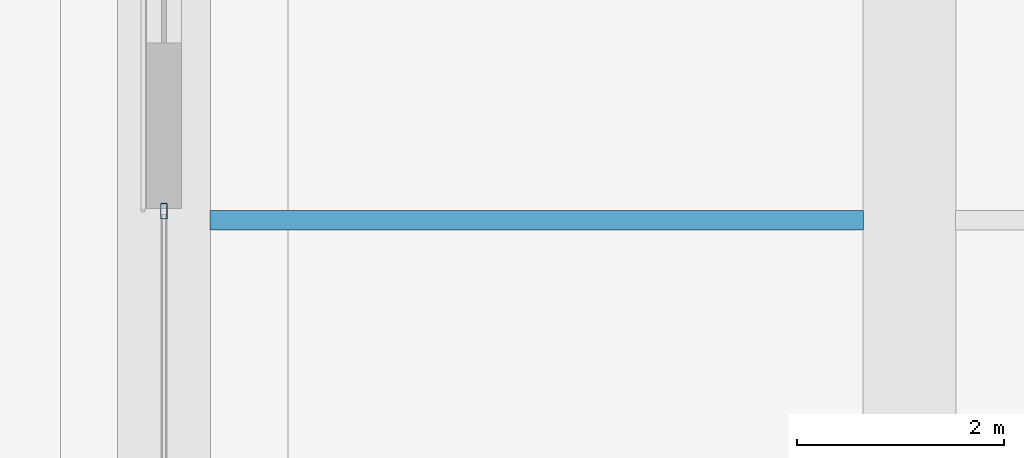
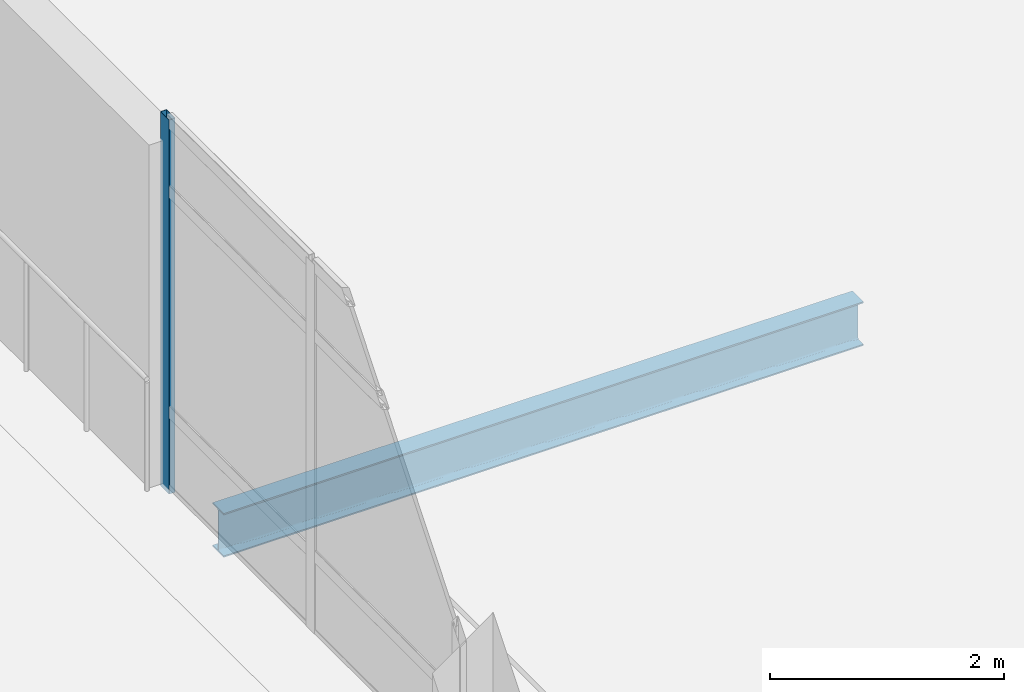
# One storey, part 24 of 158: 1 beam, 1 member, 1 element without a shape of its own.
"""IFC4 building model written with IfcOpenShell, lengths in metres."""

from ifc_helpers import new_model, si_unit, direction, frame, origin, origin_2d, place, context, subcontext, project, spatial, hollow_rectangle, i_section, extrude, material, material_profile, profile_set, type_object, element, aggregate, save


model = new_model("IFC4")

# Units and contexts
model_context = context("Model", 3, precision=1e-05, world=origin(), true_north=direction((0.0, 1.0)))
body_context = subcontext(model_context, "Body", "Model", "MODEL_VIEW")
ifc_project = project(units=[si_unit("LENGTHUNIT", "METRE"), si_unit("AREAUNIT", "SQUARE_METRE"), si_unit("VOLUMEUNIT", "CUBIC_METRE"), si_unit("PLANEANGLEUNIT", "RADIAN"), si_unit("MASSUNIT", "GRAM", prefix="KILO")], contexts=[model_context])

# Site, building, storey
site_placement = place(None, origin())
site = spatial("IfcSite", under=ifc_project, at=site_placement, CompositionType="ELEMENT")
building_placement = place(site_placement, origin())
building = spatial("IfcBuilding", under=site, at=building_placement, Name="Lusvemor Sports Hall", CompositionType="ELEMENT")
storey_placement = place(building_placement, frame((0.0, 0.0, 10.800048828125)))
storey = spatial("IfcBuildingStorey", under=building, at=storey_placement, Name="L02", CompositionType="ELEMENT", Elevation=10.800048828125)

# Curtain wall, member
ifc_material_1 = material(Name="Thermally broken bronze-anodized aluminium", Category="aluminium")
curtain_wall_type = type_object("IfcCurtainWallType", Name="CW_COURT_C", PredefinedType="NOTDEFINED", material=ifc_material_1)
curtain_wall_placement = place(storey_placement, origin())
curtain_wall = element("IfcCurtainWall", 1, at=curtain_wall_placement, inside=storey, type_object=curtain_wall_type, Name="Curtain Wall CW-V2W-L02-2A", PredefinedType="NOTDEFINED")
ifc_material_2 = material(Name="Thermally broken bronze-anodized aluminium", Category="aluminium")
ifc_material_profile_1 = material_profile(ifc_material_2, hollow_rectangle(XDim=0.06494140625, YDim=0.14990234375, WallThickness=0.00390625, InnerFilletRadius=0.00390625, OuterFilletRadius=0.008056640625, at=origin_2d()), Name="CWMUL150x65x4")
ifc_profile_set_1 = profile_set([ifc_material_profile_1], Name="Thermally broken bronze-anodized aluminium")
member_type = type_object("IfcMemberType", Name="CW_MUL_B", PredefinedType="MULLION", material=ifc_profile_set_1)
member_placement = place(storey_placement, frame((118.800048828125, 23.487548828125, -0.050048828125), z_axis=(0.0, 0.0, 1.0), x_axis=(-1.0, 0.0, 0.0)))
member = element("IfcMember", 2, at=member_placement, type_object=member_type, Name="CW03 mullion 3", PredefinedType="MULLION", context=body_context, shape_type="SweptSolid", body=[
    extrude(hollow_rectangle(XDim=0.06494140625, YDim=0.14990234375, WallThickness=0.00390625, InnerFilletRadius=0.00390625, OuterFilletRadius=0.008056640625, at=origin_2d()), origin(), (0.0, 0.0, 1.0), 3.89990234375),
])
aggregate(curtain_wall, [member])

# Beam
ifc_material_3 = material(Name="Steel S355", Category="steel")
ifc_material_profile_2 = material_profile(ifc_material_3, i_section(OverallWidth=0.18994140625, OverallDepth=0.45703125, WebThickness=0.009033203125, FlangeThickness=0.014404296875, FilletRadius=0.01806640625, at=origin_2d()), Name="W460x74.0")
ifc_profile_set_2 = profile_set([ifc_material_profile_2], Name="Steel S355")
beam_type = type_object("IfcBeamType", Name="GIRD_ST_460", PredefinedType="T_BEAM", material=ifc_profile_set_2)
beam_placement = place(storey_placement, frame((119.2451171875, 23.39990234375, -0.58251953125), z_axis=(1.0, 0.0, 0.0), x_axis=(0.0, 1.0, 0.0)))
element("IfcBeam", 3, at=beam_placement, inside=storey, type_object=beam_type, Name="Transfer Deck Beam 13-14 Row 2", PredefinedType="T_BEAM", context=body_context, shape_type="SweptSolid", body=[
    extrude(i_section(OverallWidth=0.18994140625, OverallDepth=0.45703125, WebThickness=0.009033203125, FlangeThickness=0.014404296875, FilletRadius=0.01806640625, at=origin_2d()), origin(), (0.0, 0.0, 1.0), 6.309814453125),
])

save(model, "model.ifc")
